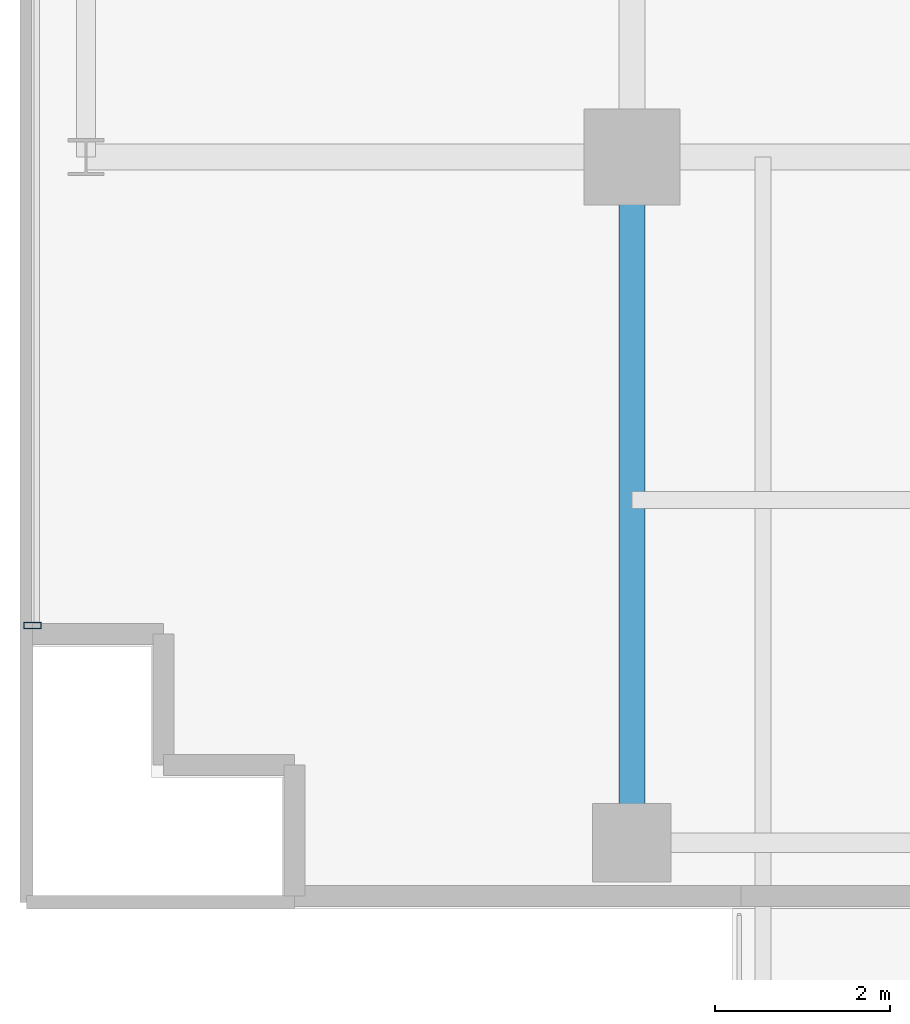
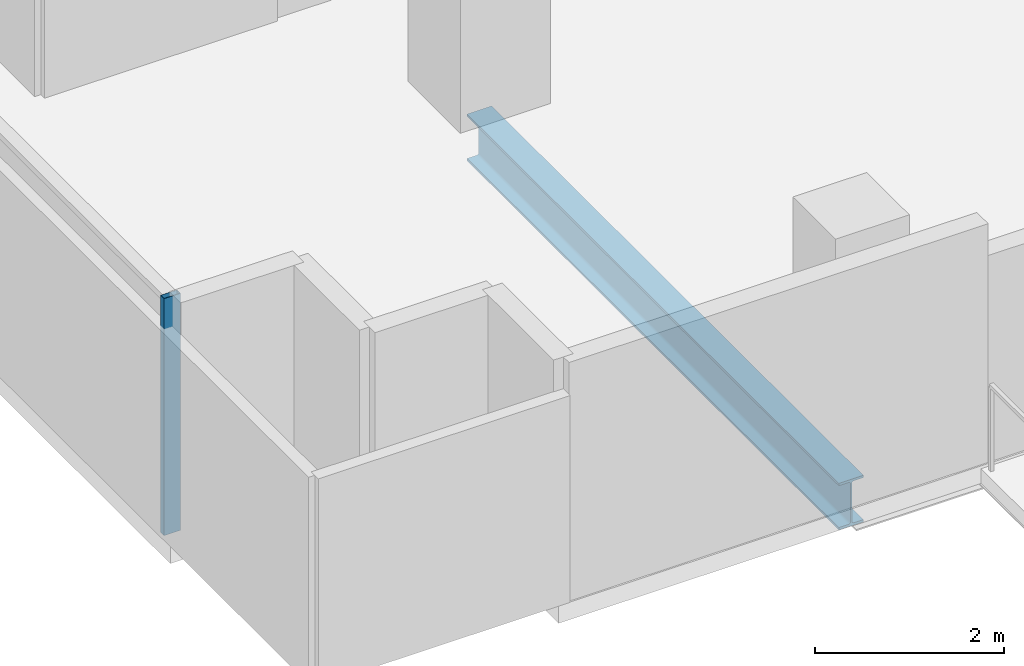
# One storey, part 2 of 26: 1 beam, 1 member, 1 element without a shape of its own.
"""IFC4 building model written with IfcOpenShell, lengths in metres."""

from ifc_helpers import new_model, si_unit, direction, frame, origin, origin_2d, place, context, subcontext, project, spatial, hollow_rectangle, i_section, extrude, source, transform, mapped, material, layer, layer_set, material_profile, profile_set, type_object, element, aggregate, save


model = new_model("IFC4")

# Units and contexts
model_context = context("Model", 3, precision=1e-05, world=origin(), true_north=direction((0.0, 1.0)))
body_context = subcontext(model_context, "Body", "Model", "MODEL_VIEW")
ifc_project = project(units=[si_unit("LENGTHUNIT", "METRE"), si_unit("AREAUNIT", "SQUARE_METRE"), si_unit("VOLUMEUNIT", "CUBIC_METRE"), si_unit("PLANEANGLEUNIT", "RADIAN"), si_unit("MASSUNIT", "GRAM", prefix="KILO")], contexts=[model_context])

# Site, building, storey
site_placement = place(None, origin())
site = spatial("IfcSite", under=ifc_project, at=site_placement, CompositionType="ELEMENT")
building_placement = place(site_placement, origin())
building = spatial("IfcBuilding", under=site, at=building_placement, Name="Zarnakvel Exchange Tower", CompositionType="ELEMENT")
storey_placement = place(building_placement, frame((0.0, 0.0, 70.300048828125)))
storey = spatial("IfcBuildingStorey", under=building, at=storey_placement, Name="L19", CompositionType="ELEMENT", Elevation=70.300048828125)

# Beam
ifc_material_1 = material(Name="Steel S355", Category="steel")
ifc_material_profile_1 = material_profile(ifc_material_1, i_section(OverallWidth=0.300048828125, OverallDepth=0.60009765625, WebThickness=0.015380859375, FlangeThickness=0.030029296875, FilletRadius=0.027099609375, at=origin_2d()))
ifc_profile_set_1 = profile_set([ifc_material_profile_1], Name="Steel S355")
beam_type = type_object("IfcBeamType", Name="G-04", PredefinedType="BEAM", material=ifc_profile_set_1)
beam_placement = place(storey_placement, frame((-21.60009765625, -17.449951171875, -0.525146484375), z_axis=(0.0, 1.0, 0.0), x_axis=(-1.0, 0.0, 0.0)))
element("IfcBeam", 1, at=beam_placement, inside=storey, type_object=beam_type, Name="L19 Tower N-S Frame Beam", PredefinedType="BEAM", context=body_context, shape_type="SweptSolid", body=[
    extrude(i_section(OverallWidth=0.300048828125, OverallDepth=0.60009765625, WebThickness=0.015380859375, FlangeThickness=0.030029296875, FilletRadius=0.027099609375, at=origin_2d()), origin(), (0.0, 0.0, 1.0), 7.849853515625),
])

# Curtain wall, member
ifc_material_2 = material(Name="Architectural Bronze Anodised Aluminium", Category="aluminium")
ifc_layer = layer(ifc_material_2, 0.199951171875)
ifc_layer_set = layer_set([ifc_layer], Name="Architectural Bronze Anodised Aluminium")
curtain_wall_type = type_object("IfcCurtainWallType", Name="CW-04", PredefinedType="NOTDEFINED", material=ifc_layer_set)
curtain_wall_placement = place(storey_placement, origin())
curtain_wall = element("IfcCurtainWall", 2, at=curtain_wall_placement, inside=storey, type_object=curtain_wall_type, Name="L19 Curtain Wall CW-L19-W1 (CW-04)", PredefinedType="NOTDEFINED")
ifc_material_profile_2 = material_profile(ifc_material_2, hollow_rectangle(XDim=0.199951171875, YDim=0.074951171875, WallThickness=0.0048828125, at=origin_2d()))
ifc_profile_set_2 = profile_set([ifc_material_profile_2], Name="Architectural Bronze Anodised Aluminium")
member_type = type_object("IfcMemberType", Name="CWM-04", PredefinedType="MULLION", material=ifc_profile_set_2)
shared_shape = source(origin(), body_context, "Body", "SweptSolid", [
    extrude(hollow_rectangle(XDim=0.199951171875, YDim=0.074951171875, WallThickness=0.0048828125, at=origin_2d()), origin(), (0.0, 0.0, 1.0), 3.054931640625),
])
member_placement = place(storey_placement, frame((-28.4599609375, -14.96240234375, 0.0), z_axis=(0.0, 0.0, 1.0), x_axis=(-1.0, 0.0, 0.0)))
member = element("IfcMember", 3, at=member_placement, type_object=member_type, Name="CW-04 mullion 1", PredefinedType="MULLION", context=body_context, shape_type="MappedRepresentation", body=[
    mapped(shared_shape, transform((0.0, 0.0, 0.0), x_axis=(1.0, 0.0, 0.0), y_axis=(0.0, 1.0, 0.0), z_axis=(0.0, 0.0, 1.0), scale=1.0)),
])
aggregate(curtain_wall, [member])

save(model, "model.ifc")
